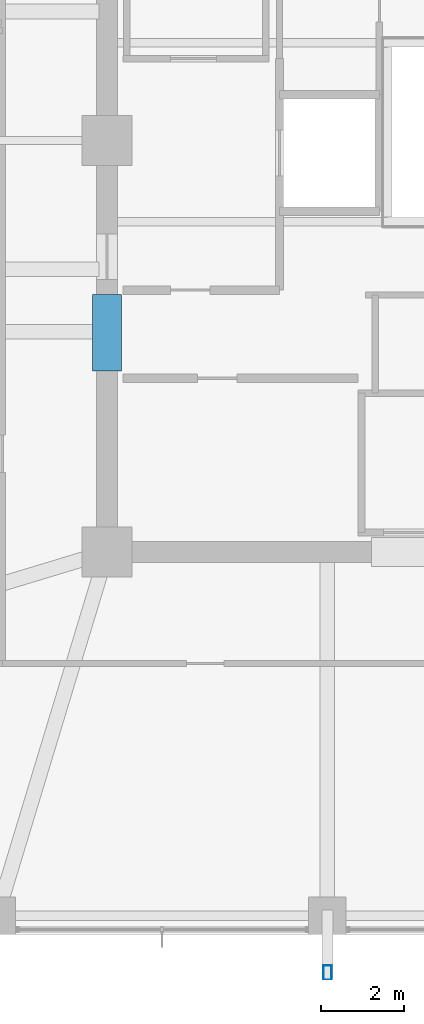
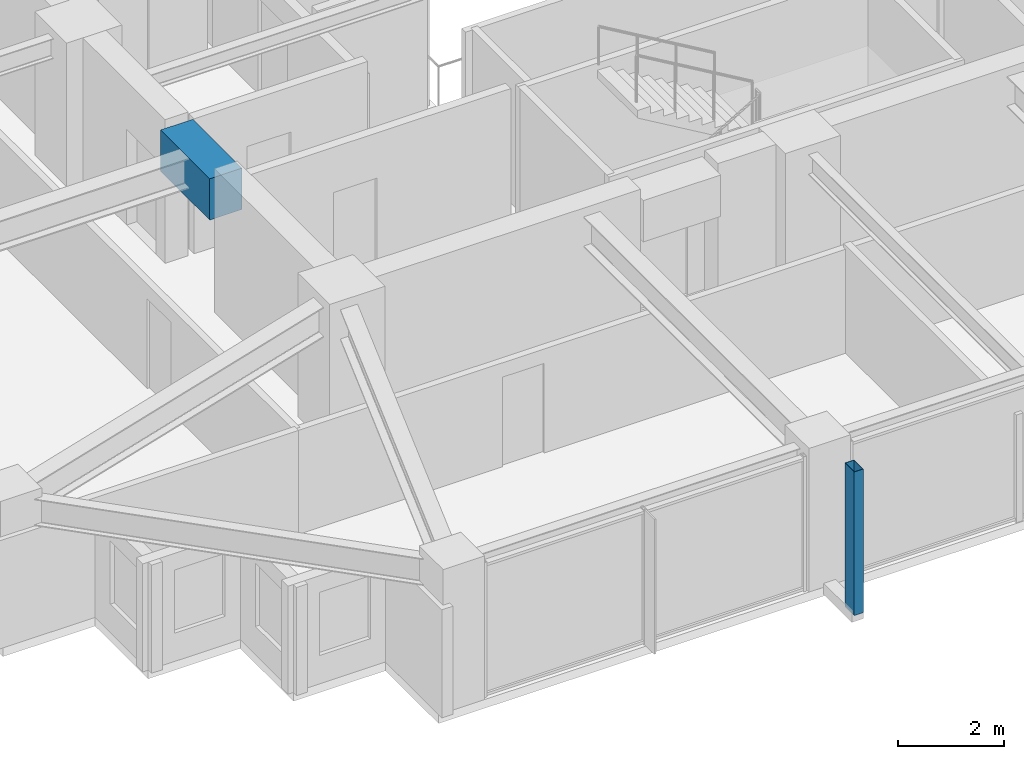
# One storey, part 5 of 35: 1 beam, 1 member.
"""IFC4 building model written with IfcOpenShell, lengths in metres."""

from ifc_helpers import new_model, si_unit, direction, frame, origin, origin_2d, place, context, subcontext, project, spatial, rectangle, hollow_rectangle, extrude, material, material_profile, profile_set, type_object, element, save


model = new_model("IFC4")

# Units and contexts
model_context = context("Model", 3, precision=1e-05, world=origin(), true_north=direction((0.0, 1.0)))
body_context = subcontext(model_context, "Body", "Model", "MODEL_VIEW")
ifc_project = project(units=[si_unit("LENGTHUNIT", "METRE"), si_unit("AREAUNIT", "SQUARE_METRE"), si_unit("VOLUMEUNIT", "CUBIC_METRE"), si_unit("PLANEANGLEUNIT", "RADIAN"), si_unit("MASSUNIT", "GRAM", prefix="KILO")], contexts=[model_context])

# Site, building, storey
site_placement = place(None, origin())
site = spatial("IfcSite", under=ifc_project, at=site_placement, CompositionType="ELEMENT")
building_placement = place(site_placement, origin())
building = spatial("IfcBuilding", under=site, at=building_placement, Name="Kolvaren Belvedere", CompositionType="ELEMENT")
storey_placement = place(building_placement, frame((0.0, 0.0, 163.5)))
storey = spatial("IfcBuildingStorey", under=building, at=storey_placement, Name="L47", CompositionType="ELEMENT", Elevation=163.5)

# Beam
ifc_material_1 = material(Name="Concrete C60/75", Category="concrete")
ifc_material_profile_1 = material_profile(ifc_material_1, rectangle(XDim=0.699951171875, YDim=0.949951171875, at=origin_2d()), Name="RC 700X950")
ifc_profile_set_1 = profile_set([ifc_material_profile_1], Name="Concrete C60/75")
beam_type = type_object("IfcBeamType", Name="BM-LINT-950", PredefinedType="LINTEL", material=ifc_profile_set_1)
beam_placement = place(storey_placement, frame((-9.89990234375, -5.550048828125, 2.625), z_axis=(0.0, 1.0, 0.0), x_axis=(-1.0, 0.0, 0.0)))
element("IfcBeam", 1, at=beam_placement, inside=storey, type_object=beam_type, Name="L47 West Core Coupling Lintel", PredefinedType="LINTEL", context=body_context, shape_type="SweptSolid", body=[
    extrude(rectangle(XDim=0.699951171875, YDim=0.949951171875, at=origin_2d()), origin(), (0.0, 0.0, 1.0), 1.85009765625),
])

# Member
ifc_material_2 = material(Name="Anodised pale-metal aluminium AA 6063-T6", Category="aluminium")
ifc_material_profile_2 = material_profile(ifc_material_2, hollow_rectangle(XDim=0.199951171875, YDim=0.35009765625, WallThickness=0.007568359375, at=origin_2d()), Name="ALU-PF-350X200")
ifc_profile_set_2 = profile_set([ifc_material_profile_2], Name="Anodised pale-metal aluminium AA 6063-T6")
member_type = type_object("IfcMemberType", Name="PF-FRAME-350", PredefinedType="USERDEFINED", material=ifc_profile_set_2)
member_placement = place(storey_placement, frame((-4.60009765625, -20.02001953125, 0.0), z_axis=(0.0, 0.0, 1.0), x_axis=(1.0, 0.0, 0.0)))
element("IfcMember", 2, at=member_placement, inside=storey, type_object=member_type, Name="L47 Outboard Picture-Frame Vertical S2", ObjectType="PICTURE FRAME FIN", PredefinedType="USERDEFINED", context=body_context, shape_type="SweptSolid", body=[
    extrude(hollow_rectangle(XDim=0.199951171875, YDim=0.35009765625, WallThickness=0.007568359375, at=origin_2d()), origin(), (0.0, 0.0, 1.0), 3.300048828125),
])

save(model, "model.ifc")
